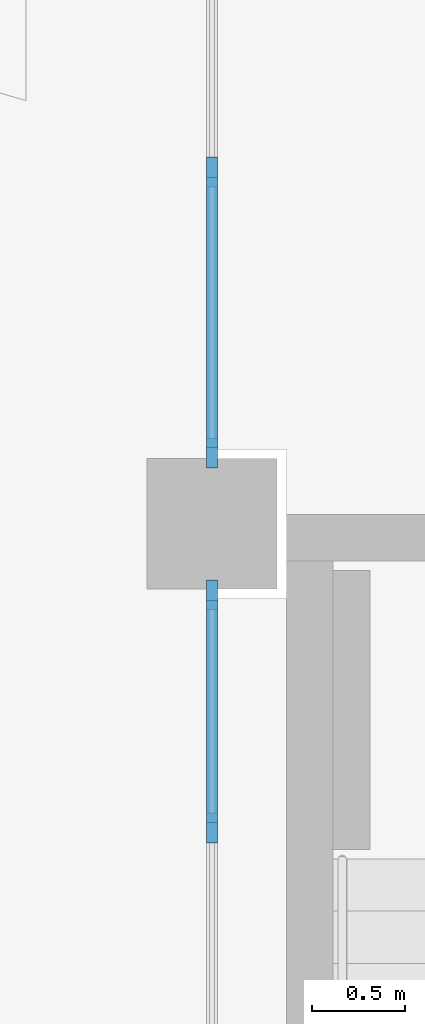
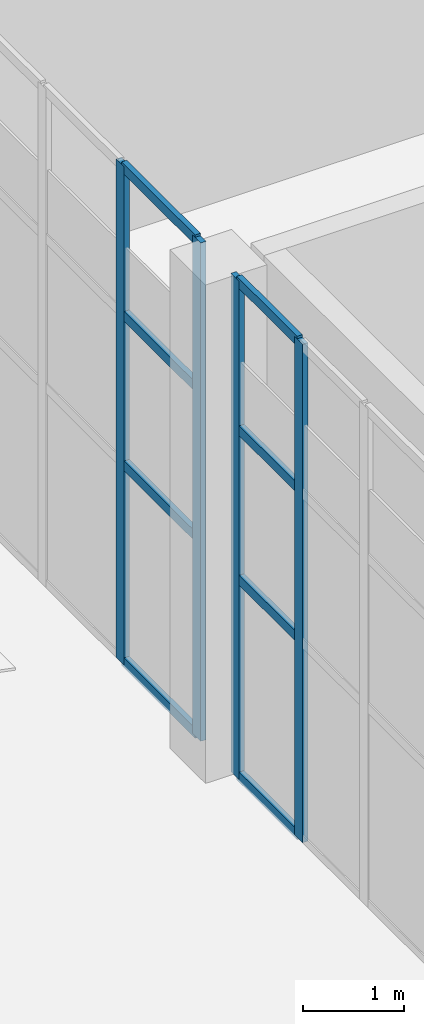
# One storey, part 46 of 210: 12 members, 2 elements without a shape of their own.
"""IFC4 building model written with IfcOpenShell, lengths in metres."""

import ifcopenshell
import ifcopenshell.guid

model = None  # the IFC model being written
_history = None  # IfcOwnerHistory: only IFC2X3 demands one
_inside = {}  # id of a spatial element -> (the spatial element, [elements in it])
_under = {}  # id of a project, library or spatial element -> (it, [spatial elements below it])
_declared = {}  # id of a project -> (the project, [libraries it declares])
_typed = {}  # id of a type object -> (the type object, [elements of that type])
_made_of = {}  # id of a material, layer set ... -> (it, [elements and type objects made of it])


def new_model(schema):
    """Start an empty IFC model of exactly this schema.

    Asked for "IFC4X3", IfcOpenShell would pick the latest addendum, in which some entities
    have other attributes; the version numbers below select the first issue.
    IFC2X3 requires an IfcOwnerHistory on every rooted entity: one is made here for all.
    """
    global model, _history
    if schema == "IFC4X3":
        model = ifcopenshell.file(schema_version=(4, 3, 0, 0))
    else:
        model = ifcopenshell.file(schema=schema)
    _inside.clear()
    _under.clear()
    _declared.clear()
    _typed.clear()
    _made_of.clear()
    _history = None
    if model.schema == "IFC2X3":
        org = make("IfcOrganization", Name="unknown")
        user = make(
            "IfcPersonAndOrganization",
            ThePerson=make("IfcPerson", FamilyName="unknown"),
            TheOrganization=org,
        )
        app = make(
            "IfcApplication",
            ApplicationDeveloper=org,
            Version="unknown",
            ApplicationFullName="unknown",
            ApplicationIdentifier="unknown",
        )
        _history = make(
            "IfcOwnerHistory",
            OwningUser=user,
            OwningApplication=app,
            ChangeAction="ADDED",
            CreationDate=0,
        )
    return model


def make(cls, **values):
    """One entity of the class cls with the attributes given. An attribute that is None is left unset."""
    return model.create_entity(
        cls, **{name: value for name, value in values.items() if value is not None}
    )


def rooted(cls, **values):
    """An entity with a GlobalId (a new one), such as an element, a storey or a relation."""
    return make(cls, GlobalId=ifcopenshell.guid.new(), OwnerHistory=_history, **values)


def si_unit(unit_type, name, prefix=None):
    """IfcSIUnit, for example si_unit("LENGTHUNIT", "METRE", prefix="MILLI")."""
    return make("IfcSIUnit", UnitType=unit_type, Prefix=prefix, Name=name)


def assignment(units):
    """IfcUnitAssignment: the units of a project."""
    return None if units is None else make("IfcUnitAssignment", Units=units)


def point(xyz):
    """IfcCartesianPoint."""
    return None if xyz is None else make("IfcCartesianPoint", Coordinates=xyz)


def direction(xyz):
    """IfcDirection."""
    return None if xyz is None else make("IfcDirection", DirectionRatios=xyz)


def frame(location, z_axis=None, x_axis=None):
    """IfcAxis2Placement3D, a coordinate frame: its origin and axes. An axis left out is left unset."""
    return make(
        "IfcAxis2Placement3D",
        Location=point(location),
        Axis=direction(z_axis),
        RefDirection=direction(x_axis),
    )


def frame_2d(location, x_axis=None):
    """IfcAxis2Placement2D, a coordinate frame in the plane: its origin and x axis."""
    return make(
        "IfcAxis2Placement2D", Location=point(location), RefDirection=direction(x_axis)
    )


def origin():
    """The frame at (0, 0, 0) with its axes left unset."""
    return frame((0.0, 0.0, 0.0))


def origin_2d():
    """The frame at (0, 0) in the plane with its x axis left unset."""
    return frame_2d((0.0, 0.0))


def place(relative_to, where):
    """IfcLocalPlacement: puts the frame where relative to a parent placement (None: the world)."""
    return make(
        "IfcLocalPlacement", PlacementRelTo=relative_to, RelativePlacement=where
    )


def context(
    kind, dimensions, precision=None, world=None, true_north=None, identifier=None
):
    """IfcGeometricRepresentationContext, for example the 3D "Model" context."""
    return make(
        "IfcGeometricRepresentationContext",
        ContextIdentifier=identifier,
        ContextType=kind,
        CoordinateSpaceDimension=dimensions,
        Precision=precision,
        WorldCoordinateSystem=world,
        TrueNorth=true_north,
    )


def subcontext(parent, identifier, kind, view, scale=None):
    """IfcGeometricRepresentationSubContext, for example "Body" below "Model"."""
    return make(
        "IfcGeometricRepresentationSubContext",
        ContextIdentifier=identifier,
        ContextType=kind,
        ParentContext=parent,
        TargetScale=scale,
        TargetView=view,
    )


def project(units=None, contexts=None):
    """IfcProject with its units and contexts."""
    return rooted(
        "IfcProject",
        Name="project",
        RepresentationContexts=contexts,
        UnitsInContext=assignment(units),
    )


def spatial(cls, under=None, at=None, **own):
    """A site, building, storey or space (cls), placed at a placement, below another one or the project."""
    s = rooted(cls, ObjectPlacement=at, **own)
    if under is not None:
        _under.setdefault(under.id(), (under, []))[1].append(s)
    return s


def profile(cls, at=None, kind="AREA", **sizes):
    """A parametric profile (cls). Its sizes go by their IFC names, for example OverallWidth=200.0."""
    return make(cls, ProfileType=kind, Position=at, **sizes)


def rectangle(**sizes):
    """IfcRectangleProfileDef."""
    return profile("IfcRectangleProfileDef", **sizes)


def extrude(swept, where, along, depth):
    """IfcExtrudedAreaSolid: the profile swept, set in the frame where, extruded along a direction by depth."""
    return make(
        "IfcExtrudedAreaSolid",
        SweptArea=swept,
        Position=where,
        ExtrudedDirection=direction(along),
        Depth=depth,
    )


def shape(context_of_items, identifier, shape_type, items):
    """IfcShapeRepresentation: the items that make up one representation, for example the "Body"."""
    return make(
        "IfcShapeRepresentation",
        ContextOfItems=context_of_items,
        RepresentationIdentifier=identifier,
        RepresentationType=shape_type,
        Items=items,
    )


def material(Name=None, Category=None):
    """IfcMaterial."""
    return make("IfcMaterial", Name=Name, Category=Category)


def layer(
    of_material, thickness, ventilated=None, Name=None, Category=None, Priority=None
):
    """IfcMaterialLayer: one layer of a wall or slab, of a material (None: an air gap)."""
    return make(
        "IfcMaterialLayer",
        Material=of_material,
        LayerThickness=thickness,
        IsVentilated=ventilated,
        Name=Name,
        Category=Category,
        Priority=Priority,
    )


def layer_set(layers, Name=None):
    """IfcMaterialLayerSet."""
    return make("IfcMaterialLayerSet", MaterialLayers=layers, LayerSetName=Name)


def material_profile(
    of_material, cross_section, Name=None, Category=None, Priority=None
):
    """IfcMaterialProfile: a cross section and its material."""
    return make(
        "IfcMaterialProfile",
        Name=Name,
        Material=of_material,
        Profile=cross_section,
        Priority=Priority,
        Category=Category,
    )


def profile_set(profiles, Name=None, composite=None):
    """IfcMaterialProfileSet."""
    return make(
        "IfcMaterialProfileSet",
        Name=Name,
        MaterialProfiles=profiles,
        CompositeProfile=composite,
    )


def made_of(thing, what):
    """Note that an element or type object is made of a material, layer set ...; save() writes the relation."""
    if what is not None:
        _made_of.setdefault(what.id(), (what, []))[1].append(thing)
    return thing


def type_object(cls, material=None, **own):
    """A type object (cls), such as IfcWallType, which elements share."""
    return made_of(rooted(cls, **own), material)


def element(
    cls,
    number,
    at=None,
    inside=None,
    cuts=None,
    type_object=None,
    material=None,
    context=None,
    identifier="Body",
    shape_type=None,
    held_by="IfcProductDefinitionShape",
    body=None,
    shapes=None,
    **own,
):
    """One element of the class cls, such as IfcWall. Its Tag is "e" and its number.

    at: its placement. inside: the storey or other place that contains it. cuts: it is an
    opening in that element (IfcRelVoidsElement). A single representation is given by context,
    identifier, shape_type and body (its items); several are given by shapes. held_by: the class
    of the entity that holds the representations. save() writes the other relations.
    """
    e = rooted(cls, Tag="e%d" % number, ObjectPlacement=at, **own)
    if body is not None:
        shapes = [shape(context, identifier, shape_type, body)]
    if shapes is not None:
        e.Representation = make(held_by, Representations=shapes)
    if inside is not None:
        _inside.setdefault(inside.id(), (inside, []))[1].append(e)
    if cuts is not None:
        rooted(
            "IfcRelVoidsElement", RelatingBuildingElement=cuts, RelatedOpeningElement=e
        )
    if type_object is not None:
        _typed.setdefault(type_object.id(), (type_object, []))[1].append(e)
    return made_of(e, material)


def aggregate(whole, parts):
    """IfcRelAggregates: a whole, such as a stair, and the parts it consists of."""
    return rooted("IfcRelAggregates", RelatingObject=whole, RelatedObjects=parts)


def save(model, path):
    """Write the relations noted so far, then the file.

    IfcRelAggregates (storeys below a building ...), IfcRelContainedInSpatialStructure (elements
    in a storey), IfcRelDefinesByType, IfcRelAssociatesMaterial and IfcRelDeclares: one each for
    every whole, place, type object, material and project.
    """
    for whole, parts in _under.values():
        aggregate(whole, parts)
    for where, things in _inside.values():
        rooted(
            "IfcRelContainedInSpatialStructure",
            RelatedElements=things,
            RelatingStructure=where,
        )
    for kind, things in _typed.values():
        rooted("IfcRelDefinesByType", RelatedObjects=things, RelatingType=kind)
    for what, things in _made_of.values():
        rooted("IfcRelAssociatesMaterial", RelatedObjects=things, RelatingMaterial=what)
    for by, libraries in _declared.values():
        rooted("IfcRelDeclares", RelatingContext=by, RelatedDefinitions=libraries)
    model.write(path)


model = new_model("IFC4")

# Units and contexts
model_context = context("Model", 3, precision=1e-05, world=origin(), true_north=direction((0.0, 1.0)))
body_context = subcontext(model_context, "Body", "Model", "MODEL_VIEW")
ifc_project = project(units=[si_unit("LENGTHUNIT", "METRE"), si_unit("AREAUNIT", "SQUARE_METRE"), si_unit("VOLUMEUNIT", "CUBIC_METRE"), si_unit("PLANEANGLEUNIT", "RADIAN"), si_unit("MASSUNIT", "GRAM", prefix="KILO")], contexts=[model_context])

# Site, building, storey
site_placement = place(None, origin())
site = spatial("IfcSite", under=ifc_project, at=site_placement, CompositionType="ELEMENT")
building_placement = place(site_placement, origin())
building = spatial("IfcBuilding", under=site, at=building_placement, Name="Rain Tree Exposition and Congress Centre", CompositionType="ELEMENT")
storey_placement = place(building_placement, origin())
storey = spatial("IfcBuildingStorey", under=building, at=storey_placement, Name="L00", CompositionType="ELEMENT", Elevation=0.0)

# Curtain wall, members
ifc_material_1 = material(Name="Aluminium", Category="aluminium")
ifc_layer = layer(ifc_material_1, 0.10009765625)
ifc_layer_set = layer_set([ifc_layer], Name="Aluminium")
curtain_wall_type = type_object("IfcCurtainWallType", Name="Curtain wall congress", PredefinedType="NOTDEFINED", material=ifc_layer_set)
curtain_wall_1_placement = place(storey_placement, origin())
curtain_wall_1 = element("IfcCurtainWall", 1, at=curtain_wall_1_placement, inside=storey, type_object=curtain_wall_type, Name="Foyer curtain wall L00 bay 6", PredefinedType="NOTDEFINED")
ifc_material_2 = material(Name="Aluminium", Category="aluminium")
ifc_material_profile_1 = material_profile(ifc_material_2, rectangle(XDim=0.06005859375, YDim=0.159912109375, at=origin_2d()), Name="AL 60x160")
ifc_profile_set_1 = profile_set([ifc_material_profile_1], Name="Aluminium")
member_type_1 = type_object("IfcMemberType", Name="Curtain wall mullion 60x160 congress", PredefinedType="MULLION", material=ifc_profile_set_1)
member_1_placement = place(storey_placement, frame((151.199951171875, 57.166748046875, 0.0), z_axis=(0.0, 0.0, 1.0), x_axis=(-1.0, 0.0, 0.0)))
member_1 = element("IfcMember", 2, at=member_1_placement, type_object=member_type_1, Name="CWG306 mullion 6", PredefinedType="MULLION", context=body_context, shape_type="SweptSolid", body=[
    extrude(rectangle(XDim=0.06005859375, YDim=0.159912109375, at=origin_2d()), origin(), (0.0, 0.0, 1.0), 6.0),
])
member_2_placement = place(storey_placement, frame((151.199951171875, 58.419921875, 0.0), z_axis=(0.0, 0.0, 1.0), x_axis=(-1.0, 0.0, 0.0)))
member_2 = element("IfcMember", 3, at=member_2_placement, type_object=member_type_1, Name="CWG306 mullion 7", PredefinedType="MULLION", context=body_context, shape_type="SweptSolid", body=[
    extrude(rectangle(XDim=0.06005859375, YDim=0.159912109375, at=origin_2d()), origin(), (0.0, 0.0, 1.0), 6.0),
])

curtain_wall_2_placement = place(storey_placement, origin())
curtain_wall_2 = element("IfcCurtainWall", 4, at=curtain_wall_2_placement, inside=storey, type_object=curtain_wall_type, Name="Foyer curtain wall L00 bay 7", PredefinedType="NOTDEFINED")
member_3_placement = place(storey_placement, frame((151.199951171875, 59.179931640625, 0.0), z_axis=(0.0, 0.0, 1.0), x_axis=(-1.0, 0.0, 0.0)))
member_3 = element("IfcMember", 5, at=member_3_placement, type_object=member_type_1, Name="CWG307 mullion 1", PredefinedType="MULLION", context=body_context, shape_type="SweptSolid", body=[
    extrude(rectangle(XDim=0.06005859375, YDim=0.159912109375, at=origin_2d()), origin(), (0.0, 0.0, 1.0), 6.0),
])
member_4_placement = place(storey_placement, frame((151.199951171875, 60.68994140625, 0.0), z_axis=(0.0, 0.0, 1.0), x_axis=(-1.0, 0.0, 0.0)))
member_4 = element("IfcMember", 6, at=member_4_placement, type_object=member_type_1, Name="CWG307 mullion 2", PredefinedType="MULLION", context=body_context, shape_type="SweptSolid", body=[
    extrude(rectangle(XDim=0.06005859375, YDim=0.159912109375, at=origin_2d()), origin(), (0.0, 0.0, 1.0), 6.0),
])

# Member
ifc_material_3 = material(Name="Aluminium", Category="aluminium")
ifc_material_profile_2 = material_profile(ifc_material_3, rectangle(XDim=0.06005859375, YDim=0.1201171875, at=origin_2d()), Name="AL 60x120")
ifc_profile_set_2 = profile_set([ifc_material_profile_2], Name="Aluminium")
member_type_2 = type_object("IfcMemberType", Name="Curtain wall transom 60x120 congress", PredefinedType="USERDEFINED", material=ifc_profile_set_2)
member_5_placement = place(storey_placement, frame((151.199951171875, 57.19677734375, 0.030029296875), z_axis=(0.0, 1.0, 0.0), x_axis=(-1.0, 0.0, 0.0)))
member_5 = element("IfcMember", 7, at=member_5_placement, type_object=member_type_2, Name="CWG306 transom 6.1", ObjectType="TRANSOM", PredefinedType="USERDEFINED", context=body_context, shape_type="SweptSolid", body=[
    extrude(rectangle(XDim=0.06005859375, YDim=0.1201171875, at=origin_2d()), origin(), (0.0, 0.0, 1.0), 1.193115234375),
])

member_6_placement = place(storey_placement, frame((151.199951171875, 57.19677734375, 2.39990234375), z_axis=(0.0, 1.0, 0.0), x_axis=(-1.0, 0.0, 0.0)))
member_6 = element("IfcMember", 8, at=member_6_placement, type_object=member_type_2, Name="CWG306 transom 6.2", ObjectType="TRANSOM", PredefinedType="USERDEFINED", context=body_context, shape_type="SweptSolid", body=[
    extrude(rectangle(XDim=0.06005859375, YDim=0.1201171875, at=origin_2d()), origin(), (0.0, 0.0, 1.0), 1.193115234375),
])

member_7_placement = place(storey_placement, frame((151.199951171875, 57.19677734375, 4.199951171875), z_axis=(0.0, 1.0, 0.0), x_axis=(-1.0, 0.0, 0.0)))
member_7 = element("IfcMember", 9, at=member_7_placement, type_object=member_type_2, Name="CWG306 transom 6.3", ObjectType="TRANSOM", PredefinedType="USERDEFINED", context=body_context, shape_type="SweptSolid", body=[
    extrude(rectangle(XDim=0.06005859375, YDim=0.1201171875, at=origin_2d()), origin(), (0.0, 0.0, 1.0), 1.193115234375),
])

member_8_placement = place(storey_placement, frame((151.199951171875, 57.19677734375, 5.969970703125), z_axis=(0.0, 1.0, 0.0), x_axis=(-1.0, 0.0, 0.0)))
member_8 = element("IfcMember", 10, at=member_8_placement, type_object=member_type_2, Name="CWG306 transom 6.4", ObjectType="TRANSOM", PredefinedType="USERDEFINED", context=body_context, shape_type="SweptSolid", body=[
    extrude(rectangle(XDim=0.06005859375, YDim=0.1201171875, at=origin_2d()), origin(), (0.0, 0.0, 1.0), 1.193115234375),
])

aggregate(curtain_wall_1, [member_1, member_2, member_5, member_6, member_7, member_8])

member_9_placement = place(storey_placement, frame((151.199951171875, 59.2099609375, 0.030029296875), z_axis=(0.0, 1.0, 0.0), x_axis=(-1.0, 0.0, 0.0)))
member_9 = element("IfcMember", 11, at=member_9_placement, type_object=member_type_2, Name="CWG307 transom 1.1", ObjectType="TRANSOM", PredefinedType="USERDEFINED", context=body_context, shape_type="SweptSolid", body=[
    extrude(rectangle(XDim=0.06005859375, YDim=0.1201171875, at=origin_2d()), origin(), (0.0, 0.0, 1.0), 1.449951171875),
])

member_10_placement = place(storey_placement, frame((151.199951171875, 59.2099609375, 2.39990234375), z_axis=(0.0, 1.0, 0.0), x_axis=(-1.0, 0.0, 0.0)))
member_10 = element("IfcMember", 12, at=member_10_placement, type_object=member_type_2, Name="CWG307 transom 1.2", ObjectType="TRANSOM", PredefinedType="USERDEFINED", context=body_context, shape_type="SweptSolid", body=[
    extrude(rectangle(XDim=0.06005859375, YDim=0.1201171875, at=origin_2d()), origin(), (0.0, 0.0, 1.0), 1.449951171875),
])

member_11_placement = place(storey_placement, frame((151.199951171875, 59.2099609375, 4.199951171875), z_axis=(0.0, 1.0, 0.0), x_axis=(-1.0, 0.0, 0.0)))
member_11 = element("IfcMember", 13, at=member_11_placement, type_object=member_type_2, Name="CWG307 transom 1.3", ObjectType="TRANSOM", PredefinedType="USERDEFINED", context=body_context, shape_type="SweptSolid", body=[
    extrude(rectangle(XDim=0.06005859375, YDim=0.1201171875, at=origin_2d()), origin(), (0.0, 0.0, 1.0), 1.449951171875),
])

member_12_placement = place(storey_placement, frame((151.199951171875, 59.2099609375, 5.969970703125), z_axis=(0.0, 1.0, 0.0), x_axis=(-1.0, 0.0, 0.0)))
member_12 = element("IfcMember", 14, at=member_12_placement, type_object=member_type_2, Name="CWG307 transom 1.4", ObjectType="TRANSOM", PredefinedType="USERDEFINED", context=body_context, shape_type="SweptSolid", body=[
    extrude(rectangle(XDim=0.06005859375, YDim=0.1201171875, at=origin_2d()), origin(), (0.0, 0.0, 1.0), 1.449951171875),
])

aggregate(curtain_wall_2, [member_3, member_4, member_9, member_10, member_11, member_12])

save(model, "model.ifc")
